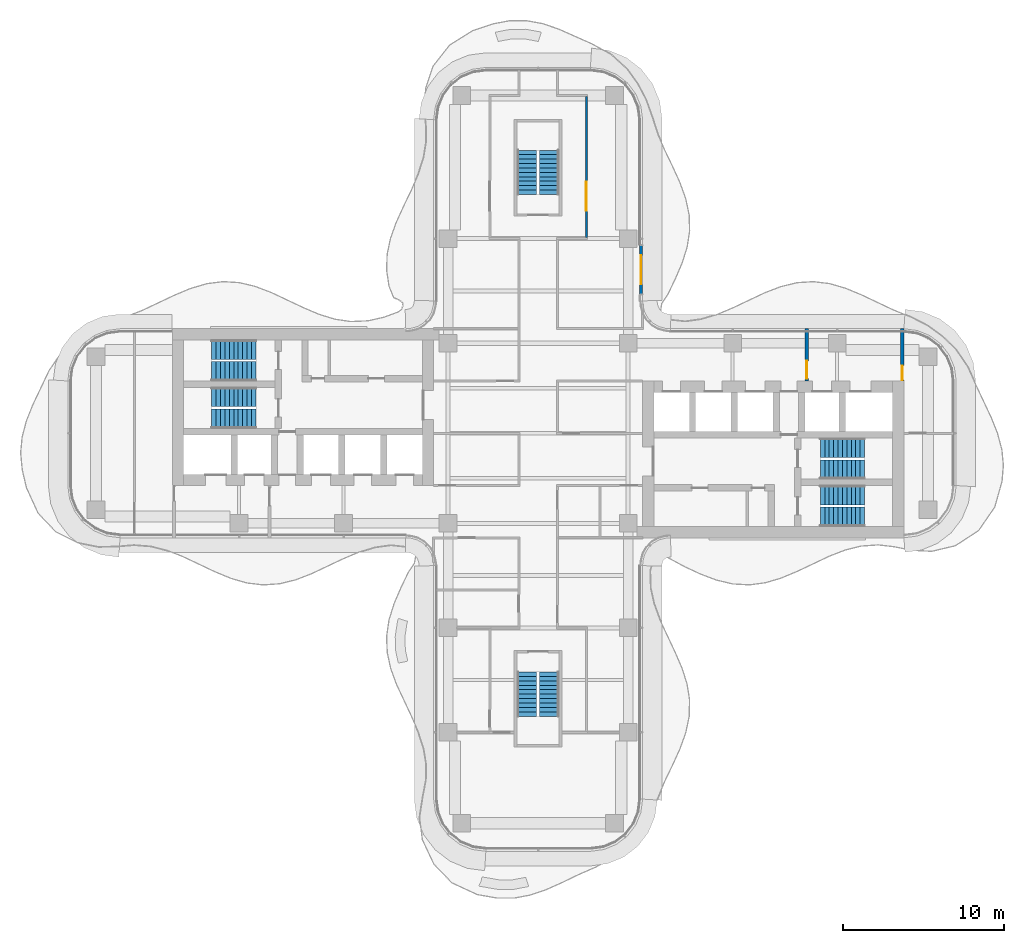
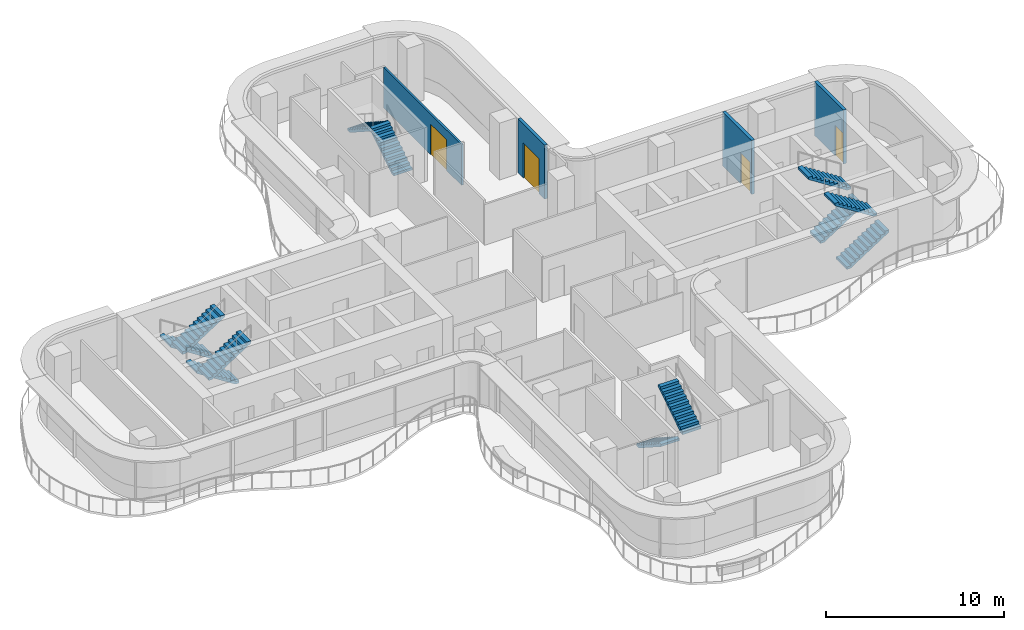
# One storey, part 16 of 18: 12 stair flights, 4 doors, 4 walls, 4 openings, 6 elements without a shape of their own.
"""IFC4 building model written with IfcOpenShell, lengths in metres."""

from ifc_helpers import new_model, si_unit, direction, frame, frame_2d, origin, place, context, subcontext, project, spatial, polyline, rectangle, outline, extrude, source, transform, mapped, material, layer, layer_set, type_object, element, fill, aggregate, save


model = new_model("IFC4")

# Units and contexts
model_context = context("Model", 3, precision=1e-05, world=origin(), true_north=direction((0.0, 1.0)))
body_context = subcontext(model_context, "Body", "Model", "MODEL_VIEW")
ifc_project = project(units=[si_unit("LENGTHUNIT", "METRE"), si_unit("AREAUNIT", "SQUARE_METRE"), si_unit("VOLUMEUNIT", "CUBIC_METRE"), si_unit("PLANEANGLEUNIT", "RADIAN"), si_unit("MASSUNIT", "GRAM", prefix="KILO")], contexts=[model_context])

# Site, building, storey
site_placement = place(None, origin())
site = spatial("IfcSite", under=ifc_project, at=site_placement, CompositionType="ELEMENT")
building_placement = place(site_placement, origin())
building = spatial("IfcBuilding", under=site, at=building_placement, Name="Trellis Farm Tower", CompositionType="ELEMENT")
storey_placement = place(building_placement, frame((0.0, 0.0, 224.60009765625)))
storey = spatial("IfcBuildingStorey", under=building, at=storey_placement, Name="L49", CompositionType="ELEMENT", Elevation=224.60009765625)

# Wall, opening, door
ifc_material_1 = material(Name="Masonry blockwork", Category="masonry")
ifc_layer_1 = layer(ifc_material_1, 0.199951171875)
ifc_layer_set_1 = layer_set([ifc_layer_1], Name="FIRE LOBBY PARTITION 200 BLOCKWORK")
wall_type_1 = type_object("IfcWallType", Name="FIRE LOBBY PARTITION 200 BLOCKWORK", PredefinedType="PARTITIONING", material=ifc_layer_set_1)
shared_shape_1 = source(origin(), body_context, "Body", "SweptSolid", [
    extrude(rectangle(XDim=3.25, YDim=0.199951171875, at=frame_2d((1.625, 0.0))), origin(), (0.0, 0.0, 1.0), 3.699951171875),
])
wall_1_placement = place(storey_placement, frame((16.699951171875, 3.25, 0.0), z_axis=(0.0, 0.0, 1.0), x_axis=(0.0, 1.0, 0.0)))
wall_1 = element("IfcWall", 1, at=wall_1_placement, inside=storey, type_object=wall_type_1, Name="Fire-fighting lobby partition", PredefinedType="PARTITIONING", context=body_context, shape_type="MappedRepresentation", body=[
    mapped(shared_shape_1, transform((0.0, 0.0, 0.0))),
])
shared_shape_2 = source(origin(), body_context, "Body", "SweptSolid", [
    extrude(rectangle(XDim=1.10009765625, YDim=2.10009765625, at=frame_2d((0.550048828125, 1.050048828125))), frame((0.0, 0.110107421875, 0.0), z_axis=(0.0, -1.0, 0.0), x_axis=(1.0, 0.0, 0.0)), (0.0, 0.0, 1.0), 0.22021484375),
])
opening_1_placement = place(wall_1_placement, frame((0.14990234375, 0.0, 0.0)))
opening_1 = element("IfcOpeningElement", 2, at=opening_1_placement, cuts=wall_1, Name="Opening DC7", PredefinedType="OPENING", context=body_context, shape_type="MappedRepresentation", body=[
    mapped(shared_shape_2, transform((0.0, 0.0, 0.0))),
])
ifc_material_2 = material(Name="Steel", Category="steel")
door_type_1 = type_object("IfcDoorType", Name="CORE FIRE DOOR 1100 X 2100", OperationType="NOTDEFINED", PredefinedType="DOOR", material=ifc_material_2)
shared_shape_3 = source(origin(), body_context, "Body", "SweptSolid", [
    extrude(rectangle(XDim=1.10009765625, YDim=2.10009765625, at=frame_2d((0.550048828125, 1.050048828125))), frame((0.0, 0.02490234375, 0.0), z_axis=(0.0, -1.0, 0.0), x_axis=(1.0, 0.0, 0.0)), (0.0, 0.0, 1.0), 0.050048828125),
])
door_1_placement = place(opening_1_placement, origin())
door_1 = element("IfcDoor", 3, at=door_1_placement, inside=storey, type_object=door_type_1, Name="Core door", OperationType="SINGLE_SWING_RIGHT", OverallHeight=2.10009765625, OverallWidth=1.10009765625, PredefinedType="DOOR", context=body_context, shape_type="MappedRepresentation", body=[
    mapped(shared_shape_3, transform((0.0, 0.0, 0.0))),
])
fill(opening_1, door_1)

wall_2_placement = place(storey_placement, frame((22.64990234375, 3.25, 0.0), z_axis=(0.0, 0.0, 1.0), x_axis=(0.0, 1.0, 0.0)))
wall_2 = element("IfcWall", 4, at=wall_2_placement, inside=storey, type_object=wall_type_1, Name="Fire-fighting lobby partition", PredefinedType="PARTITIONING", context=body_context, shape_type="MappedRepresentation", body=[
    mapped(shared_shape_1, transform((0.0, 0.0, 0.0))),
])
shared_shape_4 = source(origin(), body_context, "Body", "SweptSolid", [
    extrude(rectangle(XDim=0.89990234375, YDim=2.10009765625, at=frame_2d((0.449951171875, 1.050048828125))), frame((0.0, 0.110107421875, 0.0), z_axis=(0.0, -1.0, 0.0), x_axis=(1.0, 0.0, 0.0)), (0.0, 0.0, 1.0), 0.22021484375),
])
opening_2_placement = place(wall_2_placement, frame((0.050048828125, 0.0, 0.0)))
opening_2 = element("IfcOpeningElement", 5, at=opening_2_placement, cuts=wall_2, Name="Opening DC8", PredefinedType="OPENING", context=body_context, shape_type="MappedRepresentation", body=[
    mapped(shared_shape_4, transform((0.0, 0.0, 0.0))),
])
door_type_2 = type_object("IfcDoorType", Name="CORE FIRE DOOR 900 X 2100", OperationType="NOTDEFINED", PredefinedType="DOOR", material=ifc_material_2)
shared_shape_5 = source(origin(), body_context, "Body", "SweptSolid", [
    extrude(rectangle(XDim=0.89990234375, YDim=2.10009765625, at=frame_2d((0.449951171875, 1.050048828125))), frame((0.0, 0.02490234375, 0.0), z_axis=(0.0, -1.0, 0.0), x_axis=(1.0, 0.0, 0.0)), (0.0, 0.0, 1.0), 0.050048828125),
])
door_2_placement = place(opening_2_placement, origin())
door_2 = element("IfcDoor", 6, at=door_2_placement, inside=storey, type_object=door_type_2, Name="Core door", OperationType="SINGLE_SWING_RIGHT", OverallHeight=2.10009765625, OverallWidth=0.89990234375, PredefinedType="DOOR", context=body_context, shape_type="MappedRepresentation", body=[
    mapped(shared_shape_5, transform((0.0, 0.0, 0.0))),
])
fill(opening_2, door_2)

ifc_material_3 = material(Name="Sandstone faced insulated wall", Category="masonry")
ifc_layer_2 = layer(ifc_material_3, 0.199951171875)
ifc_layer_set_2 = layer_set([ifc_layer_2], Name="EXTERNAL INFILL WALL 200")
wall_type_2 = type_object("IfcWallType", Name="EXTERNAL INFILL WALL 200", PredefinedType="SOLIDWALL", material=ifc_layer_set_2)
shared_shape_6 = source(origin(), body_context, "Body", "SweptSolid", [
    extrude(rectangle(XDim=3.0, YDim=0.199951171875, at=frame_2d((1.5, 0.0))), origin(), (0.0, 0.0, 1.0), 3.699951171875),
])
wall_3_placement = place(storey_placement, frame((6.39990234375, 8.665771484375, 0.0), z_axis=(0.0, 0.0, 1.0), x_axis=(0.0, 1.0, 0.0)))
wall_3 = element("IfcWall", 7, at=wall_3_placement, inside=storey, type_object=wall_type_2, Name="EW1 01", PredefinedType="SOLIDWALL", context=body_context, shape_type="MappedRepresentation", body=[
    mapped(shared_shape_6, transform((0.0, 0.0, 0.0))),
])
shared_shape_7 = source(origin(), body_context, "Body", "SweptSolid", [
    extrude(rectangle(XDim=1.800048828125, YDim=2.39990234375, at=frame_2d((0.89990234375, 1.199951171875))), frame((0.0, 0.110107421875, 0.0), z_axis=(0.0, -1.0, 0.0), x_axis=(1.0, 0.0, 0.0)), (0.0, 0.0, 1.0), 0.22021484375),
])
opening_3_placement = place(wall_3_placement, frame((0.60009765625, 0.0, 0.0)))
opening_3 = element("IfcOpeningElement", 8, at=opening_3_placement, cuts=wall_3, Name="Opening ED1", PredefinedType="OPENING", context=body_context, shape_type="MappedRepresentation", body=[
    mapped(shared_shape_7, transform((0.0, 0.0, 0.0))),
])
ifc_material_4 = material(Name="Aluminium framed glazed door", Category="aluminium")
door_type_3 = type_object("IfcDoorType", Name="BALCONY DOOR 1800x2400", OperationType="DOUBLE_DOOR_SINGLE_SWING", PredefinedType="DOOR", material=ifc_material_4)
shared_shape_8 = source(origin(), body_context, "Body", "SweptSolid", [
    extrude(rectangle(XDim=1.800048828125, YDim=2.39990234375, at=frame_2d((0.89990234375, 1.199951171875))), frame((0.0, 0.02490234375, 0.0), z_axis=(0.0, -1.0, 0.0), x_axis=(1.0, 0.0, 0.0)), (0.0, 0.0, 1.0), 0.050048828125),
])
door_3_placement = place(opening_3_placement, origin())
door_3 = element("IfcDoor", 9, at=door_3_placement, inside=storey, type_object=door_type_3, Name="Balcony door", OperationType="DOUBLE_DOOR_SINGLE_SWING", OverallHeight=2.39990234375, OverallWidth=1.800048828125, PredefinedType="DOOR", context=body_context, shape_type="MappedRepresentation", body=[
    mapped(shared_shape_8, transform((0.0, 0.0, 0.0))),
])
fill(opening_3, door_3)

ifc_material_5 = material(Name="Plasterboard on steel studs, mineral wool", Category="steel")
ifc_layer_3 = layer(ifc_material_5, 0.125)
ifc_layer_set_3 = layer_set([ifc_layer_3], Name="PARTITION 125 STUD EI 60")
wall_type_3 = type_object("IfcWallType", Name="PARTITION 125 STUD EI 60", PredefinedType="PARTITIONING", material=ifc_layer_set_3)
shared_shape_9 = source(origin(), body_context, "Body", "SweptSolid", [
    extrude(rectangle(XDim=8.77490234375, YDim=0.125, at=frame_2d((4.387451171875, 0.0))), origin(), (0.0, 0.0, 1.0), 2.77978515625),
])
wall_4_placement = place(storey_placement, frame((3.0, 20.9375, 0.0), z_axis=(0.0, 0.0, 1.0), x_axis=(0.0, -1.0, 0.0)))
wall_4 = element("IfcWall", 10, at=wall_4_placement, inside=storey, type_object=wall_type_3, Name="Partition PW1", PredefinedType="PARTITIONING", context=body_context, shape_type="MappedRepresentation", body=[
    mapped(shared_shape_9, transform((0.0, 0.0, 0.0))),
])
shared_shape_10 = source(origin(), body_context, "Body", "SweptSolid", [
    extrude(rectangle(XDim=1.800048828125, YDim=2.10009765625, at=frame_2d((0.89990234375, 1.050048828125))), frame((0.0, 0.072509765625, 0.0), z_axis=(0.0, -1.0, 0.0), x_axis=(1.0, 0.0, 0.0)), (0.0, 0.0, 1.0), 0.14501953125),
])
opening_4_placement = place(wall_4_placement, frame((5.28759765625, 0.0, 0.0)))
opening_4 = element("IfcOpeningElement", 11, at=opening_4_placement, cuts=wall_4, Name="Opening D203", PredefinedType="OPENING", context=body_context, shape_type="MappedRepresentation", body=[
    mapped(shared_shape_10, transform((0.0, 0.0, 0.0))),
])
ifc_material_6 = material(Name="Fire-rated timber door leaf in a hollow metal frame", Category="wood")
door_type_4 = type_object("IfcDoorType", Name="DOOR PAIR 1800x2100 FD30S", OperationType="NOTDEFINED", PredefinedType="DOOR", material=ifc_material_6)
shared_shape_11 = source(origin(), body_context, "Body", "SweptSolid", [
    extrude(rectangle(XDim=1.800048828125, YDim=2.10009765625, at=frame_2d((0.89990234375, 1.050048828125))), frame((0.0, 0.02490234375, 0.0), z_axis=(0.0, -1.0, 0.0), x_axis=(1.0, 0.0, 0.0)), (0.0, 0.0, 1.0), 0.050048828125),
])
door_4_placement = place(opening_4_placement, origin())
door_4 = element("IfcDoor", 12, at=door_4_placement, inside=storey, type_object=door_type_4, Name="Door D203", OperationType="DOUBLE_DOOR_SINGLE_SWING", OverallHeight=2.10009765625, OverallWidth=1.800048828125, PredefinedType="DOOR", context=body_context, shape_type="MappedRepresentation", body=[
    mapped(shared_shape_11, transform((0.0, 0.0, 0.0))),
])
fill(opening_4, door_4)

# Stair, stair flights
ifc_material_7 = material(Name="Concrete C50/60", Category="concrete")
stair_type = type_object("IfcStairType", Name="CORE EXIT STAIR 22 RISERS 177 MM", PredefinedType="HALF_TURN_STAIR", material=ifc_material_7)
placement = place(storey_placement, origin())
stair_1 = element("IfcStair", 13, at=placement, inside=storey, type_object=stair_type, Name="Exit stair N", PredefinedType="HALF_TURN_STAIR")
stair_flight_type = type_object("IfcStairFlightType", Name="STAIR FLIGHT 11 RISERS 177 MM", PredefinedType="STRAIGHT", material=ifc_material_7)
shared_shape_12 = source(origin(), body_context, "Body", "SweptSolid", [
    extrude(outline(polyline([(0.0, 0.0), (0.0, 0.17724609375), (0.27490234375, 0.17724609375), (0.27490234375, 0.3544921875), (0.550048828125, 0.3544921875), (0.550048828125, 0.53173828125), (0.824951171875, 0.53173828125), (0.824951171875, 0.708984375), (1.10009765625, 0.708984375), (1.10009765625, 0.886474609375), (1.375, 0.886474609375), (1.375, 1.063720703125), (1.64990234375, 1.063720703125), (1.64990234375, 1.240966796875), (1.925048828125, 1.240966796875), (1.925048828125, 1.418212890625), (2.199951171875, 1.418212890625), (2.199951171875, 1.595458984375), (2.47509765625, 1.595458984375), (2.47509765625, 1.772705078125), (2.75, 1.772705078125), (2.75, 1.949951171875), (2.75, 1.6181640625), (0.23974609375, 0.0), (0.0, 0.0)])), frame((0.0, 0.60009765625, 0.0), z_axis=(0.0, -1.0, 0.0), x_axis=(1.0, 0.0, 0.0)), (0.0, 0.0, 1.0), 1.199951171875),
])
stair_flight_1_placement = place(storey_placement, frame((0.699951171875, 14.85009765625, 0.0), z_axis=(0.0, 0.0, 1.0), x_axis=(0.0, 1.0, 0.0)))
stair_flight_1 = element("IfcStairFlight", 14, at=stair_flight_1_placement, type_object=stair_flight_type, Name="STN flight 1", NumberOfRisers=11, NumberOfTreads=10, PredefinedType="STRAIGHT", RiserHeight=0.177272727, TreadLength=0.275, context=body_context, shape_type="MappedRepresentation", body=[
    mapped(shared_shape_12, transform((0.0, 0.0, 0.0))),
])
stair_flight_2_placement = place(storey_placement, frame((-0.699951171875, 17.60009765625, 1.949951171875), z_axis=(0.0, 0.0, 1.0), x_axis=(0.0, -1.0, 0.0)))
stair_flight_2 = element("IfcStairFlight", 15, at=stair_flight_2_placement, type_object=stair_flight_type, Name="STN flight 2", NumberOfRisers=11, NumberOfTreads=10, PredefinedType="STRAIGHT", RiserHeight=0.177272727, TreadLength=0.275, context=body_context, shape_type="MappedRepresentation", body=[
    mapped(shared_shape_12, transform((0.0, 0.0, 0.0))),
])
aggregate(stair_1, [stair_flight_1, stair_flight_2])

stair_2 = element("IfcStair", 16, at=placement, inside=storey, type_object=stair_type, Name="Exit stair S", PredefinedType="HALF_TURN_STAIR")
stair_flight_3_placement = place(storey_placement, frame((-0.699951171875, -14.85009765625, 0.0), z_axis=(0.0, 0.0, 1.0), x_axis=(0.0, -1.0, 0.0)))
stair_flight_3 = element("IfcStairFlight", 17, at=stair_flight_3_placement, type_object=stair_flight_type, Name="STS flight 1", NumberOfRisers=11, NumberOfTreads=10, PredefinedType="STRAIGHT", RiserHeight=0.177272727, TreadLength=0.275, context=body_context, shape_type="MappedRepresentation", body=[
    mapped(shared_shape_12, transform((0.0, 0.0, 0.0))),
])
stair_flight_4_placement = place(storey_placement, frame((0.699951171875, -17.60009765625, 1.949951171875), z_axis=(0.0, 0.0, 1.0), x_axis=(0.0, 1.0, 0.0)))
stair_flight_4 = element("IfcStairFlight", 18, at=stair_flight_4_placement, type_object=stair_flight_type, Name="STS flight 2", NumberOfRisers=11, NumberOfTreads=10, PredefinedType="STRAIGHT", RiserHeight=0.177272727, TreadLength=0.275, context=body_context, shape_type="MappedRepresentation", body=[
    mapped(shared_shape_12, transform((0.0, 0.0, 0.0))),
])
aggregate(stair_2, [stair_flight_3, stair_flight_4])

stair_3 = element("IfcStair", 19, at=placement, inside=storey, type_object=stair_type, Name="Exit stair E1", PredefinedType="HALF_TURN_STAIR")
stair_flight_5_placement = place(storey_placement, frame((17.550048828125, -5.199951171875, 0.0), z_axis=(0.0, 0.0, 1.0), x_axis=(1.0, 0.0, 0.0)))
stair_flight_5 = element("IfcStairFlight", 20, at=stair_flight_5_placement, type_object=stair_flight_type, Name="STE1 flight 1", NumberOfRisers=11, NumberOfTreads=10, PredefinedType="STRAIGHT", RiserHeight=0.177272727, TreadLength=0.275, context=body_context, shape_type="MappedRepresentation", body=[
    mapped(shared_shape_12, transform((0.0, 0.0, 0.0))),
])
stair_flight_6_placement = place(storey_placement, frame((20.300048828125, -3.85009765625, 1.949951171875), z_axis=(0.0, 0.0, 1.0), x_axis=(-1.0, 0.0, 0.0)))
stair_flight_6 = element("IfcStairFlight", 21, at=stair_flight_6_placement, type_object=stair_flight_type, Name="STE1 flight 2", NumberOfRisers=11, NumberOfTreads=10, PredefinedType="STRAIGHT", RiserHeight=0.177272727, TreadLength=0.275, context=body_context, shape_type="MappedRepresentation", body=[
    mapped(shared_shape_12, transform((0.0, 0.0, 0.0))),
])
aggregate(stair_3, [stair_flight_5, stair_flight_6])

stair_4 = element("IfcStair", 22, at=placement, inside=storey, type_object=stair_type, Name="Exit stair E2", PredefinedType="HALF_TURN_STAIR")
stair_flight_7_placement = place(storey_placement, frame((17.550048828125, -2.25, 0.0), z_axis=(0.0, 0.0, 1.0), x_axis=(1.0, 0.0, 0.0)))
stair_flight_7 = element("IfcStairFlight", 23, at=stair_flight_7_placement, type_object=stair_flight_type, Name="STE2 flight 1", NumberOfRisers=11, NumberOfTreads=10, PredefinedType="STRAIGHT", RiserHeight=0.177272727, TreadLength=0.275, context=body_context, shape_type="MappedRepresentation", body=[
    mapped(shared_shape_12, transform((0.0, 0.0, 0.0))),
])
stair_flight_8_placement = place(storey_placement, frame((20.300048828125, -0.89990234375, 1.949951171875), z_axis=(0.0, 0.0, 1.0), x_axis=(-1.0, 0.0, 0.0)))
stair_flight_8 = element("IfcStairFlight", 24, at=stair_flight_8_placement, type_object=stair_flight_type, Name="STE2 flight 2", NumberOfRisers=11, NumberOfTreads=10, PredefinedType="STRAIGHT", RiserHeight=0.177272727, TreadLength=0.275, context=body_context, shape_type="MappedRepresentation", body=[
    mapped(shared_shape_12, transform((0.0, 0.0, 0.0))),
])
aggregate(stair_4, [stair_flight_7, stair_flight_8])

stair_5 = element("IfcStair", 25, at=placement, inside=storey, type_object=stair_type, Name="Exit stair W1", PredefinedType="HALF_TURN_STAIR")
stair_flight_9_placement = place(storey_placement, frame((-17.550048828125, 5.199951171875, 0.0), z_axis=(0.0, 0.0, 1.0), x_axis=(-1.0, 0.0, 0.0)))
stair_flight_9 = element("IfcStairFlight", 26, at=stair_flight_9_placement, type_object=stair_flight_type, Name="STW1 flight 1", NumberOfRisers=11, NumberOfTreads=10, PredefinedType="STRAIGHT", RiserHeight=0.177272727, TreadLength=0.275, context=body_context, shape_type="MappedRepresentation", body=[
    mapped(shared_shape_12, transform((0.0, 0.0, 0.0))),
])
stair_flight_10_placement = place(storey_placement, frame((-20.300048828125, 3.85009765625, 1.949951171875), z_axis=(0.0, 0.0, 1.0), x_axis=(1.0, 0.0, 0.0)))
stair_flight_10 = element("IfcStairFlight", 27, at=stair_flight_10_placement, type_object=stair_flight_type, Name="STW1 flight 2", NumberOfRisers=11, NumberOfTreads=10, PredefinedType="STRAIGHT", RiserHeight=0.177272727, TreadLength=0.275, context=body_context, shape_type="MappedRepresentation", body=[
    mapped(shared_shape_12, transform((0.0, 0.0, 0.0))),
])
aggregate(stair_5, [stair_flight_9, stair_flight_10])

stair_6 = element("IfcStair", 28, at=placement, inside=storey, type_object=stair_type, Name="Exit stair W2", PredefinedType="HALF_TURN_STAIR")
stair_flight_11_placement = place(storey_placement, frame((-17.550048828125, 2.25, 0.0), z_axis=(0.0, 0.0, 1.0), x_axis=(-1.0, 0.0, 0.0)))
stair_flight_11 = element("IfcStairFlight", 29, at=stair_flight_11_placement, type_object=stair_flight_type, Name="STW2 flight 1", NumberOfRisers=11, NumberOfTreads=10, PredefinedType="STRAIGHT", RiserHeight=0.177272727, TreadLength=0.275, context=body_context, shape_type="MappedRepresentation", body=[
    mapped(shared_shape_12, transform((0.0, 0.0, 0.0))),
])
stair_flight_12_placement = place(storey_placement, frame((-20.300048828125, 0.89990234375, 1.949951171875), z_axis=(0.0, 0.0, 1.0), x_axis=(1.0, 0.0, 0.0)))
stair_flight_12 = element("IfcStairFlight", 30, at=stair_flight_12_placement, type_object=stair_flight_type, Name="STW2 flight 2", NumberOfRisers=11, NumberOfTreads=10, PredefinedType="STRAIGHT", RiserHeight=0.177272727, TreadLength=0.275, context=body_context, shape_type="MappedRepresentation", body=[
    mapped(shared_shape_12, transform((0.0, 0.0, 0.0))),
])
aggregate(stair_6, [stair_flight_11, stair_flight_12])

save(model, "model.ifc")
